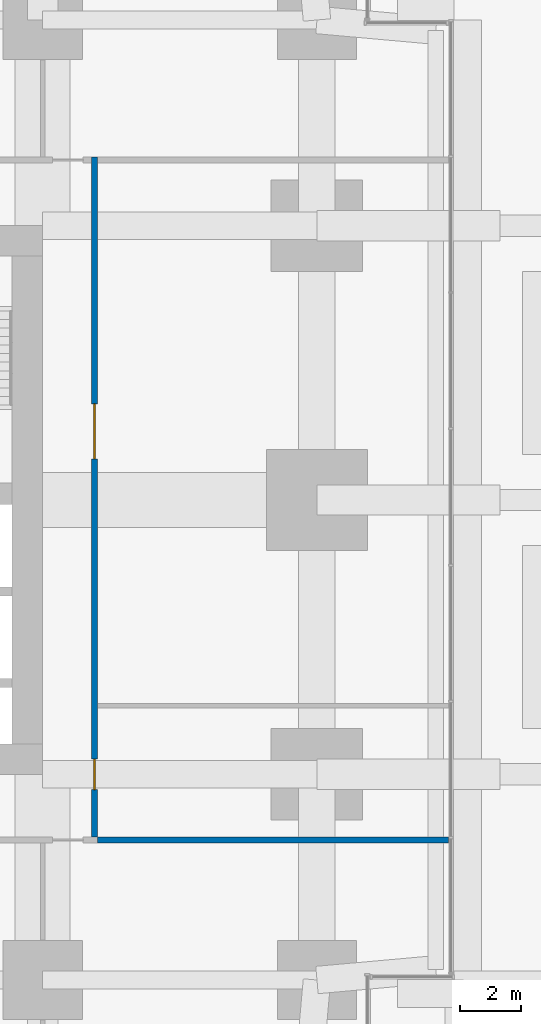
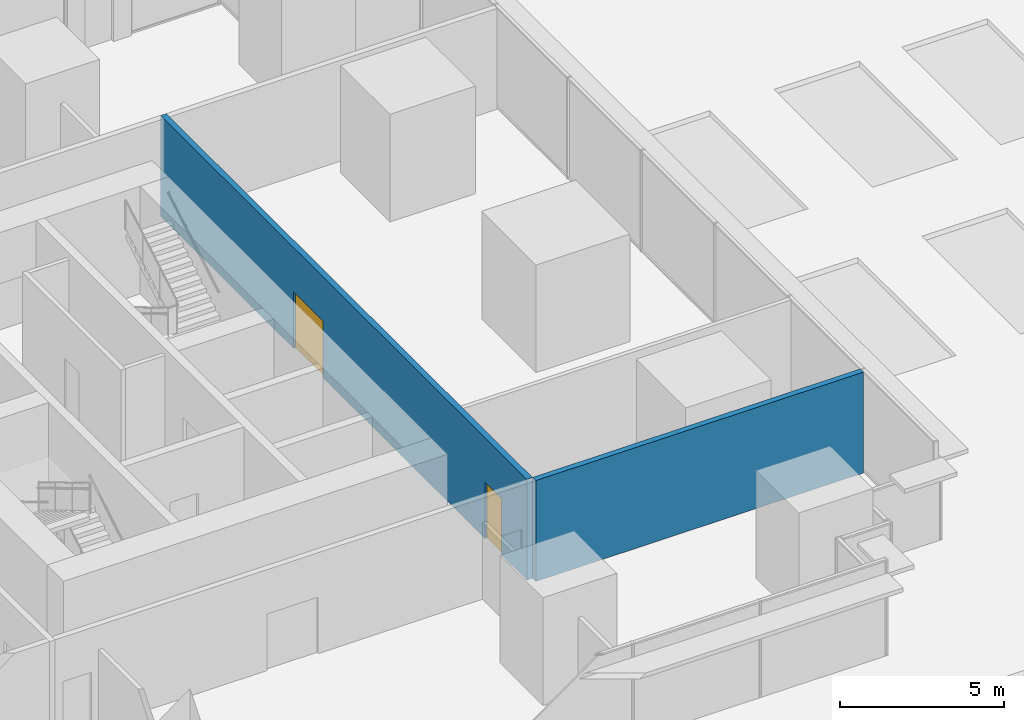
# One storey, part 25 of 34: 2 doors, 2 walls, 2 openings.
"""IFC4 building model written with IfcOpenShell, lengths in metres."""

from ifc_helpers import new_model, si_unit, direction, frame, frame_2d, origin, place, context, subcontext, project, spatial, rectangle, extrude, material, layer, layer_set, type_object, element, fill, save


model = new_model("IFC4")

# Units and contexts
model_context = context("Model", 3, precision=1e-05, world=origin(), true_north=direction((0.0, 1.0)))
body_context = subcontext(model_context, "Body", "Model", "MODEL_VIEW")
ifc_project = project(units=[si_unit("LENGTHUNIT", "METRE"), si_unit("AREAUNIT", "SQUARE_METRE"), si_unit("VOLUMEUNIT", "CUBIC_METRE"), si_unit("PLANEANGLEUNIT", "RADIAN"), si_unit("MASSUNIT", "GRAM", prefix="KILO")], contexts=[model_context])

# Site, building, storey
site_placement = place(None, origin())
site = spatial("IfcSite", under=ifc_project, at=site_placement, CompositionType="ELEMENT")
building_placement = place(site_placement, origin())
building = spatial("IfcBuilding", under=site, at=building_placement, Name="Namib Vertical Campus", CompositionType="ELEMENT")
storey_placement = place(building_placement, frame((0.0, 0.0, 21.0)))
storey = spatial("IfcBuildingStorey", under=building, at=storey_placement, Name="L04", CompositionType="ELEMENT", Elevation=21.0)

# Wall, openings, doors
ifc_material_1 = material(Name="Concrete masonry", Category="masonry")
ifc_layer = layer(ifc_material_1, 0.199951171875)
ifc_layer_set = layer_set([ifc_layer], Name="Corridor wall 200")
wall_type = type_object("IfcWallType", Name="Corridor wall 200", PredefinedType="SOLIDWALL", material=ifc_layer_set)
wall_1_placement = place(storey_placement, frame((28.699951171875, 9.199951171875, 0.0), z_axis=(0.0, 0.0, 1.0), x_axis=(0.0, 1.0, 0.0)))
wall_1 = element("IfcWall", 1, at=wall_1_placement, inside=storey, type_object=wall_type, Name="Corridor wall A L04 CE", PredefinedType="SOLIDWALL", context=body_context, shape_type="SweptSolid", body=[
    extrude(rectangle(XDim=22.300048828125, YDim=0.199951171875, at=frame_2d((11.14990234375, 0.0))), origin(), (0.0, 0.0, 1.0), 3.75),
])
opening_1_placement = place(wall_1_placement, frame((1.550048828125, 0.0, 0.0)))
opening_1 = element("IfcOpeningElement", 2, at=opening_1_placement, cuts=wall_1, Name="Opening CD1", PredefinedType="OPENING", context=body_context, shape_type="SweptSolid", body=[
    extrude(rectangle(XDim=1.0, YDim=2.10009765625, at=frame_2d((0.5, 1.050048828125))), frame((0.0, 0.10986328125, 0.0), z_axis=(0.0, -1.0, 0.0), x_axis=(1.0, 0.0, 0.0)), (0.0, 0.0, 1.0), 0.219970703125),
])
opening_2_placement = place(wall_1_placement, frame((12.39990234375, 0.0, 0.0)))
opening_2 = element("IfcOpeningElement", 3, at=opening_2_placement, cuts=wall_1, Name="Opening CD2", PredefinedType="OPENING", context=body_context, shape_type="SweptSolid", body=[
    extrude(rectangle(XDim=1.800048828125, YDim=2.10009765625, at=frame_2d((0.89990234375, 1.050048828125))), frame((0.0, 0.10986328125, 0.0), z_axis=(0.0, -1.0, 0.0), x_axis=(1.0, 0.0, 0.0)), (0.0, 0.0, 1.0), 0.219970703125),
])
ifc_material_2 = material(Name="Timber fire door leaf", Category="wood")
door_type_1 = type_object("IfcDoorType", Name="Corridor door 1000x2100 20 min", OperationType="SINGLE_SWING_LEFT", PredefinedType="DOOR", material=ifc_material_2)
door_1_placement = place(opening_1_placement, frame((1.0, 0.0, 0.0), z_axis=(0.0, 0.0, 1.0), x_axis=(-1.0, 0.0, 0.0)))
door_1 = element("IfcDoor", 4, at=door_1_placement, inside=storey, type_object=door_type_1, Name="Door CD1 A04-04", OperationType="SINGLE_SWING_RIGHT", OverallHeight=2.10009765625, OverallWidth=1.0, PredefinedType="DOOR", context=body_context, shape_type="SweptSolid", body=[
    extrude(rectangle(XDim=1.0, YDim=2.10009765625, at=frame_2d((0.5, 1.050048828125))), frame((0.0, 0.02490234375, 0.0), z_axis=(0.0, -1.0, 0.0), x_axis=(1.0, 0.0, 0.0)), (0.0, 0.0, 1.0), 0.050048828125),
])
fill(opening_1, door_1)
ifc_material_3 = material(Name="Timber fire door leaf", Category="wood")
door_type_2 = type_object("IfcDoorType", Name="Corridor door double 1800x2100 20 min", OperationType="DOUBLE_DOOR_SINGLE_SWING", PredefinedType="DOOR", material=ifc_material_3)
door_2_placement = place(opening_2_placement, frame((1.800048828125, 0.0, 0.0), z_axis=(0.0, 0.0, 1.0), x_axis=(-1.0, 0.0, 0.0)))
door_2 = element("IfcDoor", 5, at=door_2_placement, inside=storey, type_object=door_type_2, Name="Door CD2 A04-05", OperationType="DOUBLE_DOOR_SINGLE_SWING", OverallHeight=2.10009765625, OverallWidth=1.800048828125, PredefinedType="DOOR", context=body_context, shape_type="SweptSolid", body=[
    extrude(rectangle(XDim=1.800048828125, YDim=2.10009765625, at=frame_2d((0.89990234375, 1.050048828125))), frame((0.0, 0.02490234375, 0.0), z_axis=(0.0, -1.0, 0.0), x_axis=(1.0, 0.0, 0.0)), (0.0, 0.0, 1.0), 0.050048828125),
])
fill(opening_2, door_2)

# Wall
wall_2_placement = place(storey_placement, frame((28.800048828125, 9.10009765625, 0.0), z_axis=(0.0, 0.0, 1.0), x_axis=(1.0, 0.0, 0.0)))
element("IfcWall", 6, at=wall_2_placement, inside=storey, type_object=wall_type, Name="Partition A L04 BSE", PredefinedType="SOLIDWALL", context=body_context, shape_type="SweptSolid", body=[
    extrude(rectangle(XDim=11.52001953125, YDim=0.199951171875, at=frame_2d((5.760009765625, 0.0))), origin(), (0.0, 0.0, 1.0), 3.75),
])

save(model, "model.ifc")
